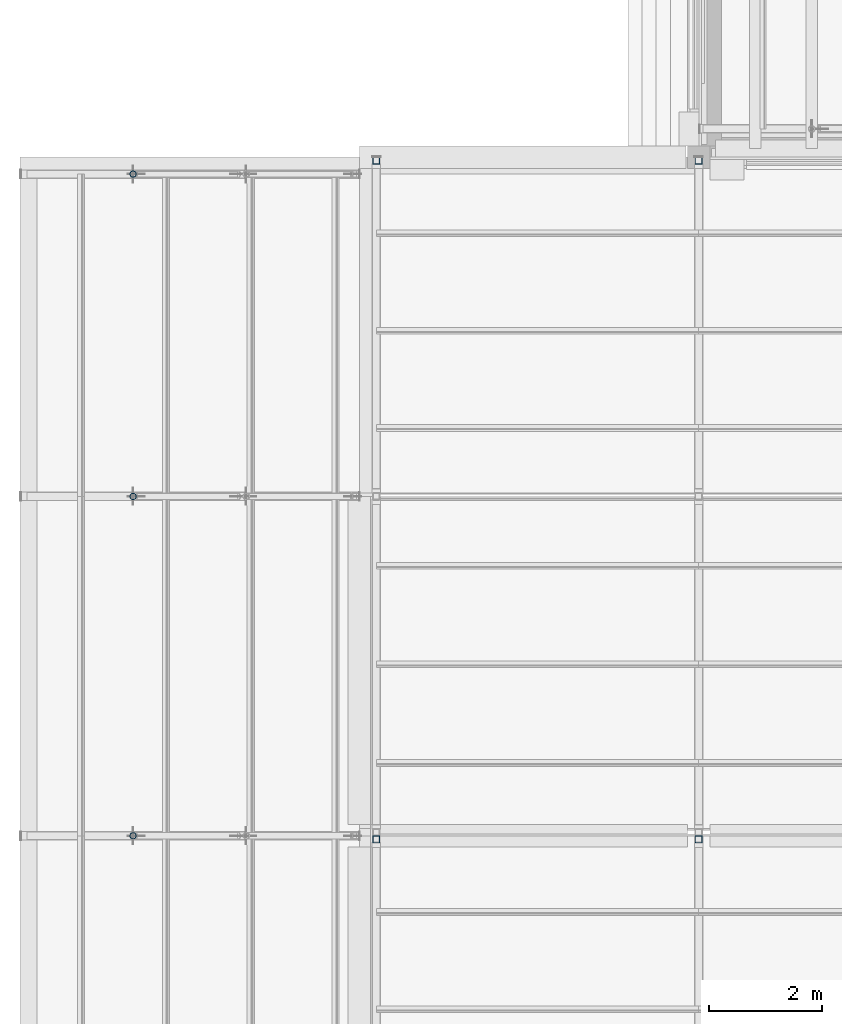
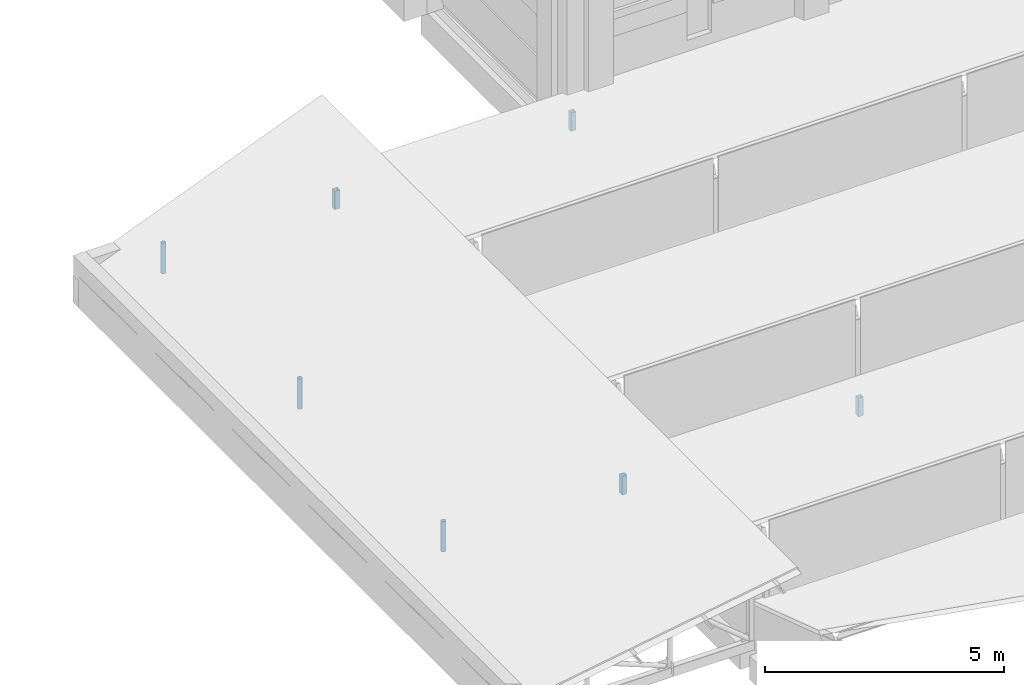
# One storey, part 49 of 118: 7 members.
"""IFC4 building model written with IfcOpenShell, lengths in metres."""

from ifc_helpers import new_model, si_unit, direction, frame, origin, origin_2d, place, context, subcontext, project, spatial, hollow_rectangle, hollow_circle, extrude, material, material_profile, profile_set, type_object, element, save


model = new_model("IFC4")

# Units and contexts
model_context = context("Model", 3, precision=1e-05, world=origin(), true_north=direction((0.0, 1.0)))
body_context = subcontext(model_context, "Body", "Model", "MODEL_VIEW")
ifc_project = project(units=[si_unit("LENGTHUNIT", "METRE"), si_unit("AREAUNIT", "SQUARE_METRE"), si_unit("VOLUMEUNIT", "CUBIC_METRE"), si_unit("PLANEANGLEUNIT", "RADIAN"), si_unit("MASSUNIT", "GRAM", prefix="KILO")], contexts=[model_context])

# Site, building, storey
site_placement = place(None, origin())
site = spatial("IfcSite", under=ifc_project, at=site_placement, CompositionType="ELEMENT")
building_placement = place(site_placement, origin())
building = spatial("IfcBuilding", under=site, at=building_placement, Name="Saffron Lane Theatres", CompositionType="ELEMENT")
storey_placement = place(building_placement, frame((0.0, 0.0, 16.5)))
storey = spatial("IfcBuildingStorey", under=building, at=storey_placement, Name="L03", CompositionType="ELEMENT", Elevation=16.5)

# Members
ifc_material_1 = material(Name="Steel Grade 350", Category="steel")
ifc_material_profile_1 = material_profile(ifc_material_1, hollow_rectangle(XDim=0.125, YDim=0.125, WallThickness=0.006103515625, InnerFilletRadius=0.0029296875, OuterFilletRadius=0.009033203125, at=origin_2d()))
ifc_profile_set_1 = profile_set([ifc_material_profile_1], Name="Steel Grade 350")
member_type_1 = type_object("IfcMemberType", Name="ST-STUDIO POST 125x125x6 SHS", PredefinedType="POST", material=ifc_profile_set_1)
for number, where, z_axis, x_axis, name in (
    (1, (6.300048828125, 17.9375, 0.25), (0.0, 0.0, 1.0), (1.0, 0.0, 0.0), "GBP7"),
    (2, (12.0, 17.9375, 0.25), (0.0, 0.0, 1.0), (1.0, 0.0, 0.0), "GBP15"),
    (3, (6.300048828125, 29.9375, 0.25), (0.0, 0.0, 1.0), (1.0, 0.0, 0.0), "GSP5"),
    (4, (12.0, 29.9375, 0.25), (0.0, 0.0, 1.0), (1.0, 0.0, 0.0), "GSP11"),
):
    element("IfcMember", number, at=place(storey_placement, frame(where, z_axis=z_axis, x_axis=x_axis)), inside=storey, type_object=member_type_1, Name=name, PredefinedType="POST", context=body_context, shape_type="SweptSolid", body=[
        extrude(hollow_rectangle(XDim=0.125, YDim=0.125, WallThickness=0.006103515625, InnerFilletRadius=0.0029296875, OuterFilletRadius=0.009033203125, at=origin_2d()), origin(), (0.0, 0.0, 1.0), 0.470703125),
    ])
ifc_material_2 = material(Name="Steel Grade 350", Category="steel")
ifc_material_profile_2 = material_profile(ifc_material_2, hollow_circle(Radius=0.05712890625, WallThickness=0.006103515625, at=origin_2d()))
ifc_profile_set_2 = profile_set([ifc_material_profile_2], Name="Steel Grade 350")
member_type_2 = type_object("IfcMemberType", Name="ST-STUDIO TRUSS WEB 114.3x6.0 CHS", PredefinedType="BRACE", material=ifc_profile_set_2)
for number, where, z_axis, x_axis, name in (
    (5, (2.0, 18.0, 0.25), (0.0, 0.0, 1.0), (1.0, 0.0, 0.0), "GWW25"),
    (6, (2.0, 24.0, 0.25), (0.0, 0.0, 1.0), (1.0, 0.0, 0.0), "GWW32"),
    (7, (2.0, 29.699951171875, 0.25), (0.0, 0.0, 1.0), (1.0, 0.0, 0.0), "GWW39"),
):
    element("IfcMember", number, at=place(storey_placement, frame(where, z_axis=z_axis, x_axis=x_axis)), inside=storey, type_object=member_type_2, Name=name, PredefinedType="BRACE", context=body_context, shape_type="SweptSolid", body=[
        extrude(hollow_circle(Radius=0.05712890625, WallThickness=0.006103515625, at=origin_2d()), origin(), (0.0, 0.0, 1.0), 0.772216796875),
    ])

save(model, "model.ifc")
